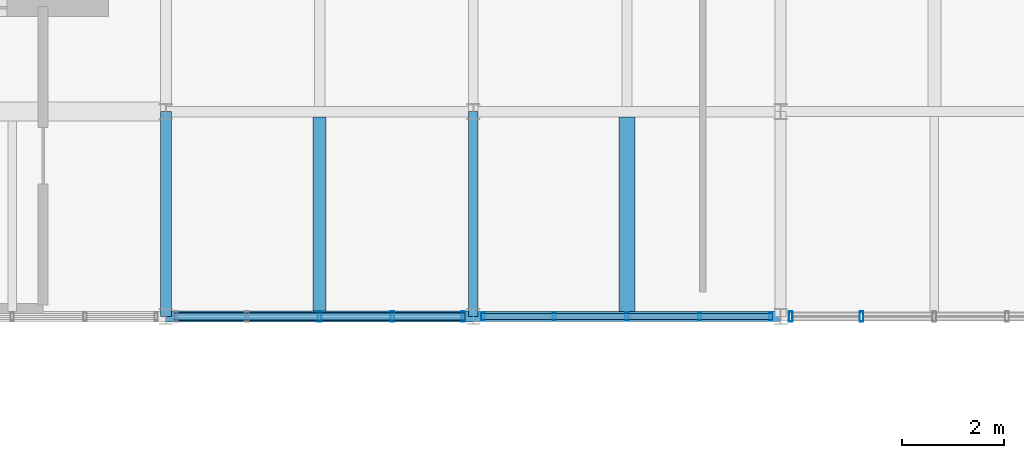
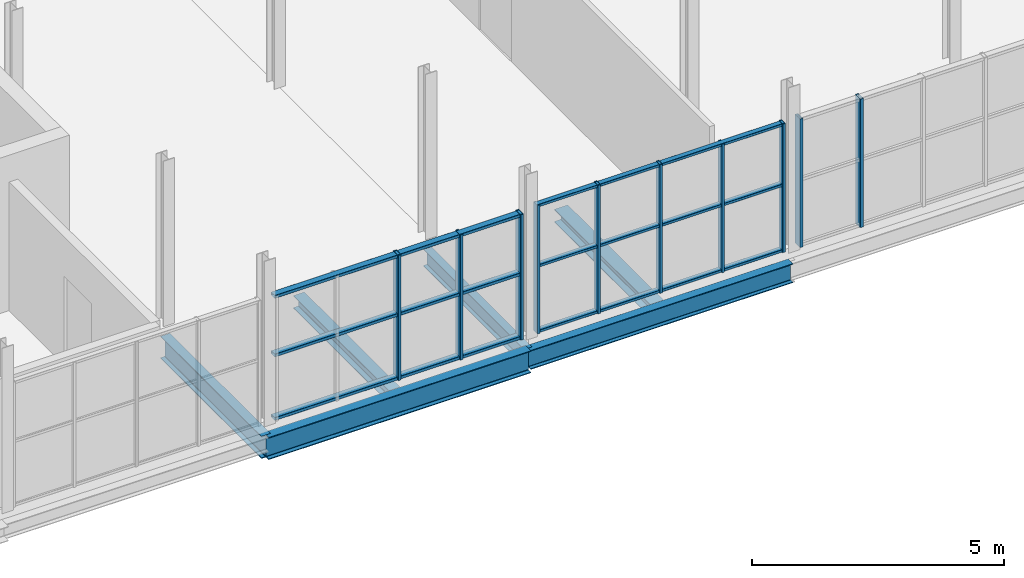
# One storey, part 59 of 96: 16 members, 6 beams, 3 elements without a shape of their own.
"""IFC4 building model written with IfcOpenShell, lengths in metres."""

from ifc_helpers import new_model, si_unit, direction, frame, origin, origin_2d, place, context, subcontext, project, spatial, hollow_rectangle, i_section, extrude, material, material_profile, profile_set, type_object, element, aggregate, save


model = new_model("IFC4")

# Units and contexts
model_context = context("Model", 3, precision=1e-05, world=origin(), true_north=direction((0.0, 1.0)))
body_context = subcontext(model_context, "Body", "Model", "MODEL_VIEW")
ifc_project = project(units=[si_unit("LENGTHUNIT", "METRE"), si_unit("AREAUNIT", "SQUARE_METRE"), si_unit("VOLUMEUNIT", "CUBIC_METRE"), si_unit("PLANEANGLEUNIT", "RADIAN"), si_unit("MASSUNIT", "GRAM", prefix="KILO")], contexts=[model_context])

# Site, building, storey
site_placement = place(None, origin())
site = spatial("IfcSite", under=ifc_project, at=site_placement, CompositionType="ELEMENT")
building_placement = place(site_placement, origin())
building = spatial("IfcBuilding", under=site, at=building_placement, Name="Verrall Gate Interchange", CompositionType="ELEMENT")
storey_placement = place(building_placement, frame((0.0, 0.0, 11.39990234375)))
storey = spatial("IfcBuildingStorey", under=building, at=storey_placement, Name="L03", CompositionType="ELEMENT", Elevation=11.39990234375)

# Beams
ifc_material_1 = material(Name="Structural Steel CSA G40.21 350W", Category="steel")
ifc_material_profile_1 = material_profile(ifc_material_1, i_section(OverallWidth=0.2109375, OverallDepth=0.5390625, WebThickness=0.01171875, FlangeThickness=0.018798828125, FilletRadius=0.013916015625, at=origin_2d()), Name="W530x109")
ifc_profile_set_1 = profile_set([ifc_material_profile_1], Name="Structural Steel CSA G40.21 350W")
beam_type_1 = type_object("IfcBeamType", Name="B-10 Structural Beam W530x109", PredefinedType="BEAM", material=ifc_profile_set_1)
beam_1_placement = place(storey_placement, frame((144.0, 12.0, -0.599365234375), z_axis=(1.0, 0.0, 0.0), x_axis=(0.0, 1.0, 0.0)))
element("IfcBeam", 1, at=beam_1_placement, inside=storey, type_object=beam_type_1, Name="L03 Girder BM-L03-2023 (B-10)", PredefinedType="BEAM", context=body_context, shape_type="SweptSolid", body=[
    extrude(i_section(OverallWidth=0.2109375, OverallDepth=0.5390625, WebThickness=0.01171875, FlangeThickness=0.018798828125, FilletRadius=0.013916015625, at=origin_2d()), origin(), (0.0, 0.0, 1.0), 6.0),
])
beam_2_placement = place(storey_placement, frame((144.0, 12.0, -0.599365234375), z_axis=(0.0, 1.0, 0.0), x_axis=(-1.0, 0.0, 0.0)))
element("IfcBeam", 2, at=beam_2_placement, inside=storey, type_object=beam_type_1, Name="L03 Girder BM-L03-2339 (B-10)", PredefinedType="BEAM", context=body_context, shape_type="SweptSolid", body=[
    extrude(i_section(OverallWidth=0.2109375, OverallDepth=0.5390625, WebThickness=0.01171875, FlangeThickness=0.018798828125, FilletRadius=0.013916015625, at=origin_2d()), origin(), (0.0, 0.0, 1.0), 4.0),
])
ifc_material_2 = material(Name="Structural Steel CSA G40.21 350W", Category="steel")
ifc_material_profile_2 = material_profile(ifc_material_2, i_section(OverallWidth=0.19189453125, OverallDepth=0.462890625, WebThickness=0.010498046875, FlangeThickness=0.017578125, FilletRadius=0.012939453125, at=origin_2d()), Name="W460x89")
ifc_profile_set_2 = profile_set([ifc_material_profile_2], Name="Structural Steel CSA G40.21 350W")
beam_type_2 = type_object("IfcBeamType", Name="B-11 Structural Beam W460x89", PredefinedType="BEAM", material=ifc_profile_set_2)
beam_3_placement = place(storey_placement, frame((150.0, 12.0, -0.5615234375), z_axis=(1.0, 0.0, 0.0), x_axis=(0.0, 1.0, 0.0)))
element("IfcBeam", 3, at=beam_3_placement, inside=storey, type_object=beam_type_2, Name="L03 Girder BM-L03-2024 (B-11)", PredefinedType="BEAM", context=body_context, shape_type="SweptSolid", body=[
    extrude(i_section(OverallWidth=0.19189453125, OverallDepth=0.462890625, WebThickness=0.010498046875, FlangeThickness=0.017578125, FilletRadius=0.012939453125, at=origin_2d()), origin(), (0.0, 0.0, 1.0), 6.0),
])
ifc_material_3 = material(Name="Structural Steel CSA G40.21 350W", Category="steel")
ifc_material_profile_3 = material_profile(ifc_material_3, i_section(OverallWidth=0.178955078125, OverallDepth=0.409912109375, WebThickness=0.0087890625, FlangeThickness=0.014404296875, FilletRadius=0.011962890625, at=origin_2d()), Name="W410x67")
ifc_profile_set_3 = profile_set([ifc_material_profile_3], Name="Structural Steel CSA G40.21 350W")
beam_type_3 = type_object("IfcBeamType", Name="B-12 Structural Beam W410x67", PredefinedType="BEAM", material=ifc_profile_set_3)
beam_4_placement = place(storey_placement, frame((150.0, 12.0, -0.534912109375), z_axis=(0.0, 1.0, 0.0), x_axis=(-1.0, 0.0, 0.0)))
element("IfcBeam", 4, at=beam_4_placement, inside=storey, type_object=beam_type_3, Name="L03 Girder BM-L03-2347 (B-12)", PredefinedType="BEAM", context=body_context, shape_type="SweptSolid", body=[
    extrude(i_section(OverallWidth=0.178955078125, OverallDepth=0.409912109375, WebThickness=0.0087890625, FlangeThickness=0.014404296875, FilletRadius=0.011962890625, at=origin_2d()), origin(), (0.0, 0.0, 1.0), 4.0),
])

# Curtain wall, members
ifc_material_4 = material(Name="Thermally Broken Anodized Aluminium Curtain Wall Framing", Category="aluminium")
curtain_wall_type_1 = type_object("IfcCurtainWallType", Name="CW-31 Unitized Curtain Wall 5682x3110", PredefinedType="NOTDEFINED", material=ifc_material_4)
curtain_wall_1_placement = place(storey_placement, origin())
curtain_wall_1 = element("IfcCurtainWall", 5, at=curtain_wall_1_placement, inside=storey, type_object=curtain_wall_type_1, Name="L03 Unitized Curtain Wall CW-L03-112", PredefinedType="NOTDEFINED")
ifc_material_5 = material(Name="Thermally Broken Anodized Aluminium Curtain Wall Framing", Category="aluminium")
ifc_material_profile_4 = material_profile(ifc_material_5, hollow_rectangle(XDim=0.06494140625, YDim=0.159912109375, WallThickness=0.00390625, InnerFilletRadius=0.00390625, OuterFilletRadius=0.008056640625, at=origin_2d()), Name="CWM160x65x4")
ifc_profile_set_4 = profile_set([ifc_material_profile_4], Name="Thermally Broken Anodized Aluminium Curtain Wall Framing")
member_type_1 = type_object("IfcMemberType", Name="CM-01 Curtain Mullion CWM160x65x4", PredefinedType="MULLION", material=ifc_profile_set_4)
member_1_placement = place(storey_placement, frame((150.19140625, 12.0, 0.0), z_axis=(0.0, 0.0, 1.0), x_axis=(1.0, 0.0, 0.0)))
member_1 = element("IfcMember", 6, at=member_1_placement, type_object=member_type_1, Name="CW-L03-112 Mullion 1", PredefinedType="MULLION", context=body_context, shape_type="SweptSolid", body=[
    extrude(hollow_rectangle(XDim=0.06494140625, YDim=0.159912109375, WallThickness=0.00390625, InnerFilletRadius=0.00390625, OuterFilletRadius=0.008056640625, at=origin_2d()), origin(), (0.0, 0.0, 1.0), 3.110107421875),
])
member_2_placement = place(storey_placement, frame((151.57958984375, 12.0, 0.0), z_axis=(0.0, 0.0, 1.0), x_axis=(1.0, 0.0, 0.0)))
member_2 = element("IfcMember", 7, at=member_2_placement, type_object=member_type_1, Name="CW-L03-112 Mullion 2", PredefinedType="MULLION", context=body_context, shape_type="SweptSolid", body=[
    extrude(hollow_rectangle(XDim=0.06494140625, YDim=0.159912109375, WallThickness=0.00390625, InnerFilletRadius=0.00390625, OuterFilletRadius=0.008056640625, at=origin_2d()), origin(), (0.0, 0.0, 1.0), 3.110107421875),
])
member_3_placement = place(storey_placement, frame((153.0, 12.0, 0.0), z_axis=(0.0, 0.0, 1.0), x_axis=(1.0, 0.0, 0.0)))
member_3 = element("IfcMember", 8, at=member_3_placement, type_object=member_type_1, Name="CW-L03-112 Mullion 3", PredefinedType="MULLION", context=body_context, shape_type="SweptSolid", body=[
    extrude(hollow_rectangle(XDim=0.06494140625, YDim=0.159912109375, WallThickness=0.00390625, InnerFilletRadius=0.00390625, OuterFilletRadius=0.008056640625, at=origin_2d()), origin(), (0.0, 0.0, 1.0), 3.110107421875),
])
member_4_placement = place(storey_placement, frame((154.42041015625, 12.0, 0.0), z_axis=(0.0, 0.0, 1.0), x_axis=(1.0, 0.0, 0.0)))
member_4 = element("IfcMember", 9, at=member_4_placement, type_object=member_type_1, Name="CW-L03-112 Mullion 4", PredefinedType="MULLION", context=body_context, shape_type="SweptSolid", body=[
    extrude(hollow_rectangle(XDim=0.06494140625, YDim=0.159912109375, WallThickness=0.00390625, InnerFilletRadius=0.00390625, OuterFilletRadius=0.008056640625, at=origin_2d()), origin(), (0.0, 0.0, 1.0), 3.110107421875),
])
member_5_placement = place(storey_placement, frame((155.80859375, 12.0, 0.0), z_axis=(0.0, 0.0, 1.0), x_axis=(1.0, 0.0, 0.0)))
member_5 = element("IfcMember", 10, at=member_5_placement, type_object=member_type_1, Name="CW-L03-112 Mullion 5", PredefinedType="MULLION", context=body_context, shape_type="SweptSolid", body=[
    extrude(hollow_rectangle(XDim=0.06494140625, YDim=0.159912109375, WallThickness=0.00390625, InnerFilletRadius=0.00390625, OuterFilletRadius=0.008056640625, at=origin_2d()), origin(), (0.0, 0.0, 1.0), 3.110107421875),
])

ifc_material_6 = material(Name="Thermally Broken Anodized Aluminium Curtain Wall Framing", Category="aluminium")
curtain_wall_type_2 = type_object("IfcCurtainWallType", Name="CW-35 Unitized Curtain Wall 5682x3030", PredefinedType="NOTDEFINED", material=ifc_material_6)
curtain_wall_2_placement = place(storey_placement, origin())
curtain_wall_2 = element("IfcCurtainWall", 11, at=curtain_wall_2_placement, inside=storey, type_object=curtain_wall_type_2, Name="L03 Unitized Curtain Wall CW-L03-111", PredefinedType="NOTDEFINED")
ifc_material_7 = material(Name="Thermally Broken Anodized Aluminium Curtain Wall Framing", Category="aluminium")
ifc_material_profile_5 = material_profile(ifc_material_7, hollow_rectangle(XDim=0.074951171875, YDim=0.199951171875, WallThickness=0.0048828125, InnerFilletRadius=0.0048828125, OuterFilletRadius=0.010009765625, at=origin_2d()), Name="CWM200x75x5")
ifc_profile_set_5 = profile_set([ifc_material_profile_5], Name="Thermally Broken Anodized Aluminium Curtain Wall Framing")
member_type_2 = type_object("IfcMemberType", Name="CM-02 Curtain Mullion CWM200x75x5", PredefinedType="MULLION", material=ifc_profile_set_5)
member_6_placement = place(storey_placement, frame((147.0, 12.0, 0.0), z_axis=(0.0, 0.0, 1.0), x_axis=(1.0, 0.0, 0.0)))
member_6 = element("IfcMember", 12, at=member_6_placement, type_object=member_type_2, Name="CW-L03-111 Mullion 3", PredefinedType="MULLION", context=body_context, shape_type="SweptSolid", body=[
    extrude(hollow_rectangle(XDim=0.074951171875, YDim=0.199951171875, WallThickness=0.0048828125, InnerFilletRadius=0.0048828125, OuterFilletRadius=0.010009765625, at=origin_2d()), origin(), (0.0, 0.0, 1.0), 3.030029296875),
])
member_7_placement = place(storey_placement, frame((148.42041015625, 12.0, 0.0), z_axis=(0.0, 0.0, 1.0), x_axis=(1.0, 0.0, 0.0)))
member_7 = element("IfcMember", 13, at=member_7_placement, type_object=member_type_2, Name="CW-L03-111 Mullion 4", PredefinedType="MULLION", context=body_context, shape_type="SweptSolid", body=[
    extrude(hollow_rectangle(XDim=0.074951171875, YDim=0.199951171875, WallThickness=0.0048828125, InnerFilletRadius=0.0048828125, OuterFilletRadius=0.010009765625, at=origin_2d()), origin(), (0.0, 0.0, 1.0), 3.030029296875),
])
member_8_placement = place(storey_placement, frame((149.803466796875, 12.0, 0.0), z_axis=(0.0, 0.0, 1.0), x_axis=(1.0, 0.0, 0.0)))
member_8 = element("IfcMember", 14, at=member_8_placement, type_object=member_type_2, Name="CW-L03-111 Mullion 5", PredefinedType="MULLION", context=body_context, shape_type="SweptSolid", body=[
    extrude(hollow_rectangle(XDim=0.074951171875, YDim=0.199951171875, WallThickness=0.0048828125, InnerFilletRadius=0.0048828125, OuterFilletRadius=0.010009765625, at=origin_2d()), origin(), (0.0, 0.0, 1.0), 3.030029296875),
])

curtain_wall_3_placement = place(storey_placement, origin())
curtain_wall_3 = element("IfcCurtainWall", 15, at=curtain_wall_3_placement, inside=storey, type_object=curtain_wall_type_1, Name="L03 Unitized Curtain Wall CW-L03-113", PredefinedType="NOTDEFINED")
member_9_placement = place(storey_placement, frame((156.196533203125, 12.0, 0.0), z_axis=(0.0, 0.0, 1.0), x_axis=(1.0, 0.0, 0.0)))
member_9 = element("IfcMember", 16, at=member_9_placement, type_object=member_type_2, Name="CW-L03-113 Mullion 1", PredefinedType="MULLION", context=body_context, shape_type="SweptSolid", body=[
    extrude(hollow_rectangle(XDim=0.074951171875, YDim=0.199951171875, WallThickness=0.0048828125, InnerFilletRadius=0.0048828125, OuterFilletRadius=0.010009765625, at=origin_2d()), origin(), (0.0, 0.0, 1.0), 3.110107421875),
])
member_10_placement = place(storey_placement, frame((157.57958984375, 12.0, 0.0), z_axis=(0.0, 0.0, 1.0), x_axis=(1.0, 0.0, 0.0)))
member_10 = element("IfcMember", 17, at=member_10_placement, type_object=member_type_2, Name="CW-L03-113 Mullion 2", PredefinedType="MULLION", context=body_context, shape_type="SweptSolid", body=[
    extrude(hollow_rectangle(XDim=0.074951171875, YDim=0.199951171875, WallThickness=0.0048828125, InnerFilletRadius=0.0048828125, OuterFilletRadius=0.010009765625, at=origin_2d()), origin(), (0.0, 0.0, 1.0), 3.110107421875),
])
aggregate(curtain_wall_3, [member_9, member_10])

# Member
ifc_material_8 = material(Name="Thermally Broken Anodized Aluminium Curtain Wall Framing", Category="aluminium")
ifc_material_profile_6 = material_profile(ifc_material_8, hollow_rectangle(XDim=0.1201171875, YDim=0.06494140625, WallThickness=0.00390625, InnerFilletRadius=0.00390625, OuterFilletRadius=0.008056640625, at=origin_2d()), Name="CWT120x65x4")
ifc_profile_set_6 = profile_set([ifc_material_profile_6], Name="Thermally Broken Anodized Aluminium Curtain Wall Framing")
member_type_3 = type_object("IfcMemberType", Name="CT-01 Curtain Transom CWT120x65x4", PredefinedType="USERDEFINED", material=ifc_profile_set_6)
member_11_placement = place(storey_placement, frame((150.158935546875, 12.0, 0.03271484375), z_axis=(1.0, 0.0, 0.0), x_axis=(0.0, 1.0, 0.0)))
member_11 = element("IfcMember", 18, at=member_11_placement, type_object=member_type_3, Name="CW-L03-112 Transom 1", ObjectType="TRANSOM", PredefinedType="USERDEFINED", context=body_context, shape_type="SweptSolid", body=[
    extrude(hollow_rectangle(XDim=0.1201171875, YDim=0.06494140625, WallThickness=0.00390625, InnerFilletRadius=0.00390625, OuterFilletRadius=0.008056640625, at=origin_2d()), origin(), (0.0, 0.0, 1.0), 5.68212890625),
])

member_12_placement = place(storey_placement, frame((150.158935546875, 12.0, 1.6171875), z_axis=(1.0, 0.0, 0.0), x_axis=(0.0, 1.0, 0.0)))
member_12 = element("IfcMember", 19, at=member_12_placement, type_object=member_type_3, Name="CW-L03-112 Transom 2", ObjectType="TRANSOM", PredefinedType="USERDEFINED", context=body_context, shape_type="SweptSolid", body=[
    extrude(hollow_rectangle(XDim=0.1201171875, YDim=0.06494140625, WallThickness=0.00390625, InnerFilletRadius=0.00390625, OuterFilletRadius=0.008056640625, at=origin_2d()), origin(), (0.0, 0.0, 1.0), 5.68212890625),
])

member_13_placement = place(storey_placement, frame((150.158935546875, 12.0, 3.07763671875), z_axis=(1.0, 0.0, 0.0), x_axis=(0.0, 1.0, 0.0)))
member_13 = element("IfcMember", 20, at=member_13_placement, type_object=member_type_3, Name="CW-L03-112 Transom 3", ObjectType="TRANSOM", PredefinedType="USERDEFINED", context=body_context, shape_type="SweptSolid", body=[
    extrude(hollow_rectangle(XDim=0.1201171875, YDim=0.06494140625, WallThickness=0.00390625, InnerFilletRadius=0.00390625, OuterFilletRadius=0.008056640625, at=origin_2d()), origin(), (0.0, 0.0, 1.0), 5.68212890625),
])

aggregate(curtain_wall_1, [member_1, member_2, member_3, member_4, member_5, member_11, member_12, member_13])

ifc_material_9 = material(Name="Thermally Broken Anodized Aluminium Curtain Wall Framing", Category="aluminium")
ifc_material_profile_7 = material_profile(ifc_material_9, hollow_rectangle(XDim=0.14990234375, YDim=0.074951171875, WallThickness=0.00439453125, InnerFilletRadius=0.00439453125, OuterFilletRadius=0.009033203125, at=origin_2d()), Name="CWT150x75x4.5")
ifc_profile_set_7 = profile_set([ifc_material_profile_7], Name="Thermally Broken Anodized Aluminium Curtain Wall Framing")
member_type_4 = type_object("IfcMemberType", Name="CT-02 Curtain Transom CWT150x75x4.5", PredefinedType="USERDEFINED", material=ifc_profile_set_7)
member_14_placement = place(storey_placement, frame((144.158935546875, 12.0, 0.03759765625), z_axis=(1.0, 0.0, 0.0), x_axis=(0.0, 1.0, 0.0)))
member_14 = element("IfcMember", 21, at=member_14_placement, type_object=member_type_4, Name="CW-L03-111 Transom 1", ObjectType="TRANSOM", PredefinedType="USERDEFINED", context=body_context, shape_type="SweptSolid", body=[
    extrude(hollow_rectangle(XDim=0.14990234375, YDim=0.074951171875, WallThickness=0.00439453125, InnerFilletRadius=0.00439453125, OuterFilletRadius=0.009033203125, at=origin_2d()), origin(), (0.0, 0.0, 1.0), 5.68212890625),
])

member_15_placement = place(storey_placement, frame((144.158935546875, 12.0, 1.57568359375), z_axis=(1.0, 0.0, 0.0), x_axis=(0.0, 1.0, 0.0)))
member_15 = element("IfcMember", 22, at=member_15_placement, type_object=member_type_4, Name="CW-L03-111 Transom 2", ObjectType="TRANSOM", PredefinedType="USERDEFINED", context=body_context, shape_type="SweptSolid", body=[
    extrude(hollow_rectangle(XDim=0.14990234375, YDim=0.074951171875, WallThickness=0.00439453125, InnerFilletRadius=0.00439453125, OuterFilletRadius=0.009033203125, at=origin_2d()), origin(), (0.0, 0.0, 1.0), 5.68212890625),
])

member_16_placement = place(storey_placement, frame((144.158935546875, 12.0, 2.99267578125), z_axis=(1.0, 0.0, 0.0), x_axis=(0.0, 1.0, 0.0)))
member_16 = element("IfcMember", 23, at=member_16_placement, type_object=member_type_4, Name="CW-L03-111 Transom 3", ObjectType="TRANSOM", PredefinedType="USERDEFINED", context=body_context, shape_type="SweptSolid", body=[
    extrude(hollow_rectangle(XDim=0.14990234375, YDim=0.074951171875, WallThickness=0.00439453125, InnerFilletRadius=0.00439453125, OuterFilletRadius=0.009033203125, at=origin_2d()), origin(), (0.0, 0.0, 1.0), 5.68212890625),
])

aggregate(curtain_wall_2, [member_6, member_7, member_8, member_14, member_15, member_16])

# Beams
ifc_material_10 = material(Name="Structural Steel CSA G40.21 350W", Category="steel")
ifc_material_profile_8 = material_profile(ifc_material_10, i_section(OverallWidth=0.306884765625, OverallDepth=0.31396484375, WebThickness=0.011962890625, FlangeThickness=0.018798828125, FilletRadius=0.013916015625, at=origin_2d()), Name="W310x118")
ifc_profile_set_8 = profile_set([ifc_material_profile_8], Name="Structural Steel CSA G40.21 350W")
beam_type_4 = type_object("IfcBeamType", Name="J-02 Floor Joist W310x118", PredefinedType="JOIST", material=ifc_profile_set_8)
beam_5_placement = place(storey_placement, frame((153.0, 12.095947265625, -0.48681640625), z_axis=(0.0, 1.0, 0.0), x_axis=(-1.0, 0.0, 0.0)))
element("IfcBeam", 24, at=beam_5_placement, inside=storey, type_object=beam_type_4, Name="L03 Secondary Floor Joist JST-L03-2421", PredefinedType="JOIST", context=body_context, shape_type="SweptSolid", body=[
    extrude(i_section(OverallWidth=0.306884765625, OverallDepth=0.31396484375, WebThickness=0.011962890625, FlangeThickness=0.018798828125, FilletRadius=0.013916015625, at=origin_2d()), origin(), (0.0, 0.0, 1.0), 3.798583984375),
])
ifc_material_11 = material(Name="Structural Steel CSA G40.21 350W", Category="steel")
ifc_material_profile_9 = material_profile(ifc_material_11, i_section(OverallWidth=0.25390625, OverallDepth=0.305908203125, WebThickness=0.0087890625, FlangeThickness=0.0146484375, FilletRadius=0.012939453125, at=origin_2d()), Name="W310x79")
ifc_profile_set_9 = profile_set([ifc_material_profile_9], Name="Structural Steel CSA G40.21 350W")
beam_type_5 = type_object("IfcBeamType", Name="J-03 Floor Joist W310x79", PredefinedType="JOIST", material=ifc_profile_set_9)
beam_6_placement = place(storey_placement, frame((147.0, 12.10546875, -0.48291015625), z_axis=(0.0, 1.0, 0.0), x_axis=(-1.0, 0.0, 0.0)))
element("IfcBeam", 25, at=beam_6_placement, inside=storey, type_object=beam_type_5, Name="L03 Secondary Floor Joist JST-L03-2420", PredefinedType="JOIST", context=body_context, shape_type="SweptSolid", body=[
    extrude(i_section(OverallWidth=0.25390625, OverallDepth=0.305908203125, WebThickness=0.0087890625, FlangeThickness=0.0146484375, FilletRadius=0.012939453125, at=origin_2d()), origin(), (0.0, 0.0, 1.0), 3.7919921875),
])

save(model, "model.ifc")
